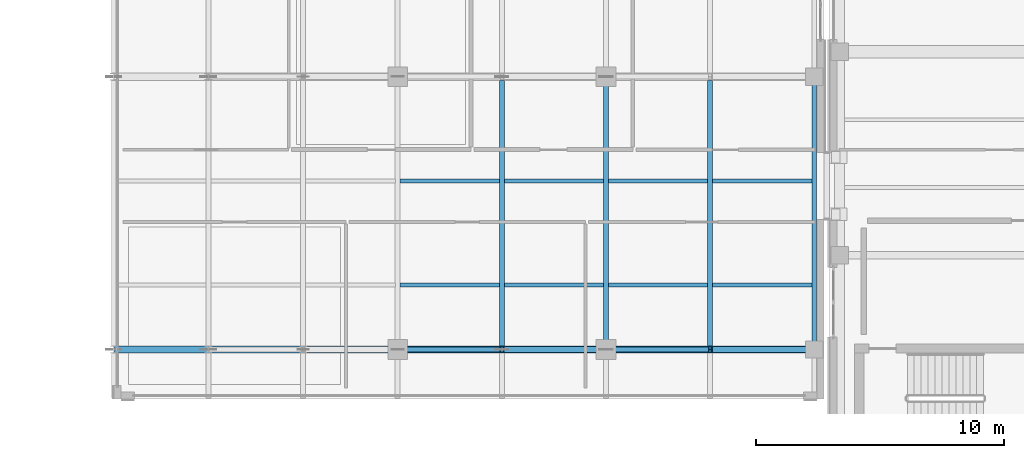
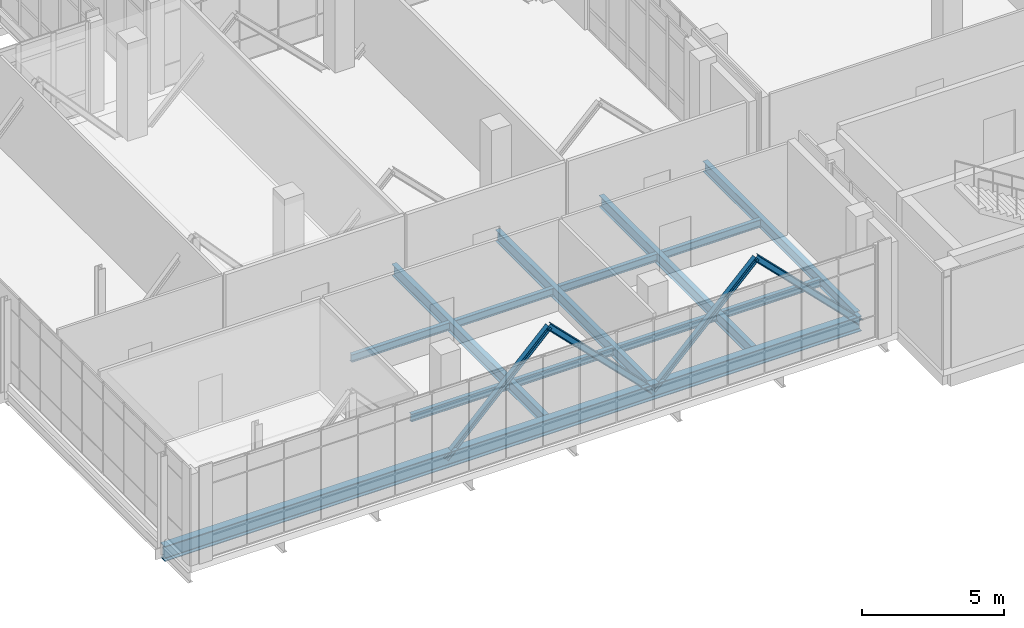
# One storey, part 5 of 165: 13 beams, 4 members.
"""IFC4 building model written with IfcOpenShell, lengths in metres."""

from ifc_helpers import new_model, si_unit, direction, frame, origin, origin_2d, place, context, subcontext, project, spatial, i_section, extrude, material, material_profile, profile_set, type_object, element, save


model = new_model("IFC4")

# Units and contexts
model_context = context("Model", 3, precision=1e-05, world=origin(), true_north=direction((0.0, 1.0)))
body_context = subcontext(model_context, "Body", "Model", "MODEL_VIEW")
ifc_project = project(units=[si_unit("LENGTHUNIT", "METRE"), si_unit("AREAUNIT", "SQUARE_METRE"), si_unit("VOLUMEUNIT", "CUBIC_METRE"), si_unit("PLANEANGLEUNIT", "RADIAN"), si_unit("MASSUNIT", "GRAM", prefix="KILO")], contexts=[model_context])

# Site, building, storey
site_placement = place(None, origin())
site = spatial("IfcSite", under=ifc_project, at=site_placement, CompositionType="ELEMENT")
building_placement = place(site_placement, origin())
building = spatial("IfcBuilding", under=site, at=building_placement, Name="Qalavern Law Courts", CompositionType="ELEMENT")
storey_placement = place(building_placement, frame((0.0, 0.0, 14.39990234375)))
storey = spatial("IfcBuildingStorey", under=building, at=storey_placement, Name="L03", CompositionType="ELEMENT", Elevation=14.39990234375)

# Beams
ifc_material = material(Name="Steel S355", Category="steel")
ifc_material_profile_1 = material_profile(ifc_material, i_section(OverallWidth=0.199951171875, OverallDepth=0.5, WebThickness=0.01025390625, FlangeThickness=0.01611328125, FilletRadius=0.02099609375, at=origin_2d()), Name="IPE 500")
ifc_profile_set_1 = profile_set([ifc_material_profile_1], Name="Steel S355")
beam_type_1 = type_object("IfcBeamType", Name="STR-BM-IPE500", PredefinedType="BEAM", material=ifc_profile_set_1)
for number, where, z_axis, x_axis, name in (
    (1, (29.39990234375, 10.14794921875, -0.534912109375), (0.0, 1.0, 0.0), (-1.0, 0.0, 0.0), "Foyer transverse beam L03-2.2"),
    (2, (25.199951171875, 10.14794921875, -0.534912109375), (0.0, 1.0, 0.0), (-1.0, 0.0, 0.0), "Foyer transverse beam L03-3.2"),
    (3, (21.0, 10.14794921875, -0.534912109375), (0.0, 1.0, 0.0), (-1.0, 0.0, 0.0), "Foyer transverse beam L03-4.2"),
):
    element("IfcBeam", number, at=place(storey_placement, frame(where, z_axis=z_axis, x_axis=x_axis)), inside=storey, type_object=beam_type_1, Name=name, PredefinedType="BEAM", context=body_context, shape_type="SweptSolid", body=[
        extrude(i_section(OverallWidth=0.199951171875, OverallDepth=0.5, WebThickness=0.01025390625, FlangeThickness=0.01611328125, FilletRadius=0.02099609375, at=origin_2d()), origin(), (0.0, 0.0, 1.0), 10.7041015625),
    ])

# Members
ifc_material_profile_2 = material_profile(ifc_material, i_section(OverallWidth=0.199951171875, OverallDepth=0.199951171875, WebThickness=0.009033203125, FlangeThickness=0.014892578125, FilletRadius=0.01806640625, at=origin_2d()), Name="HEB 200")
ifc_profile_set_2 = profile_set([ifc_material_profile_2], Name="Steel S355")
member_type_1 = type_object("IfcMemberType", Name="STR-BR-HEB200", PredefinedType="BRACE", material=ifc_profile_set_2)
for number, where, z_axis, x_axis, name in (
    (4, (29.39990234375, 10.0, 3.59521484375), (-0.706675324232, 0.0, -0.707537975038), (0.0, -1.0, 0.0), "Cantilever truss T1 diagonal L03-2"),
    (5, (21.0, 10.0, 3.59521484375), (-0.706675324232, 0.0, -0.707537975038), (0.0, -1.0, 0.0), "Cantilever truss T1 diagonal L03-4"),
):
    element("IfcMember", number, at=place(storey_placement, frame(where, z_axis=z_axis, x_axis=x_axis)), inside=storey, type_object=member_type_1, Name=name, PredefinedType="BRACE", context=body_context, shape_type="SweptSolid", body=[
        extrude(i_section(OverallWidth=0.199951171875, OverallDepth=0.199951171875, WebThickness=0.009033203125, FlangeThickness=0.014892578125, FilletRadius=0.01806640625, at=origin_2d()), origin(), (0.0, 0.0, 1.0), 5.943359375),
    ])
ifc_material_profile_3 = material_profile(ifc_material, i_section(OverallWidth=0.239990234375, OverallDepth=0.239990234375, WebThickness=0.010009765625, FlangeThickness=0.01708984375, FilletRadius=0.02099609375, at=origin_2d()), Name="HEB 240")
ifc_profile_set_3 = profile_set([ifc_material_profile_3], Name="Steel S355")
member_type_2 = type_object("IfcMemberType", Name="STR-BR-HEB240", PredefinedType="BRACE", material=ifc_profile_set_3)
for number, where, z_axis, x_axis, name in (
    (6, (33.60009765625, 10.0, -0.60986328125), (-0.706695887699, 0.0, 0.707517436046), (0.0, -1.0, 0.0), "Cantilever truss T1 diagonal L03-1"),
    (7, (25.199951171875, 10.0, -0.60986328125), (-0.706675324232, 0.0, 0.707537975038), (0.0, -1.0, 0.0), "Cantilever truss T1 diagonal L03-3"),
):
    element("IfcMember", number, at=place(storey_placement, frame(where, z_axis=z_axis, x_axis=x_axis)), inside=storey, type_object=member_type_2, Name=name, PredefinedType="BRACE", context=body_context, shape_type="SweptSolid", body=[
        extrude(i_section(OverallWidth=0.239990234375, OverallDepth=0.239990234375, WebThickness=0.010009765625, FlangeThickness=0.01708984375, FilletRadius=0.02099609375, at=origin_2d()), origin(), (0.0, 0.0, 1.0), 5.943359375),
    ])

# Beams
ifc_material_profile_4 = material_profile(ifc_material, i_section(OverallWidth=0.159912109375, OverallDepth=0.330078125, WebThickness=0.007568359375, FlangeThickness=0.011474609375, FilletRadius=0.01806640625, at=origin_2d()), Name="IPE 330")
ifc_profile_set_4 = profile_set([ifc_material_profile_4], Name="Steel S355")
beam_type_2 = type_object("IfcBeamType", Name="STR-JST-IPE330", PredefinedType="JOIST", material=ifc_profile_set_4)
for number, where, z_axis, x_axis, name in (
    (8, (29.498046875, 12.60009765625, -0.449951171875), (1.0, 0.0, 0.0), (0.0, 1.0, 0.0), "Foyer floor joist L03-1.1"),
    (9, (29.498046875, 16.800048828125, -0.449951171875), (1.0, 0.0, 0.0), (0.0, 1.0, 0.0), "Foyer floor joist L03-1.2"),
    (10, (25.298095703125, 12.60009765625, -0.449951171875), (1.0, 0.0, 0.0), (0.0, 1.0, 0.0), "Foyer floor joist L03-2.1"),
    (11, (25.298095703125, 16.800048828125, -0.449951171875), (1.0, 0.0, 0.0), (0.0, 1.0, 0.0), "Foyer floor joist L03-2.2"),
):
    element("IfcBeam", number, at=place(storey_placement, frame(where, z_axis=z_axis, x_axis=x_axis)), inside=storey, type_object=beam_type_2, Name=name, PredefinedType="JOIST", context=body_context, shape_type="SweptSolid", body=[
        extrude(i_section(OverallWidth=0.159912109375, OverallDepth=0.330078125, WebThickness=0.007568359375, FlangeThickness=0.011474609375, FilletRadius=0.01806640625, at=origin_2d()), origin(), (0.0, 0.0, 1.0), 4.00390625),
    ])
for number, where, z_axis, x_axis, name in (
    (12, (21.097900390625, 12.60009765625, -0.449951171875), (1.0, 0.0, 0.0), (0.0, 1.0, 0.0), "Foyer floor joist L03-3.1"),
    (13, (21.097900390625, 16.800048828125, -0.449951171875), (1.0, 0.0, 0.0), (0.0, 1.0, 0.0), "Foyer floor joist L03-3.2"),
    (14, (16.89794921875, 12.60009765625, -0.449951171875), (1.0, 0.0, 0.0), (0.0, 1.0, 0.0), "Foyer floor joist L03-4.1"),
    (15, (16.89794921875, 16.800048828125, -0.449951171875), (1.0, 0.0, 0.0), (0.0, 1.0, 0.0), "Foyer floor joist L03-4.2"),
):
    element("IfcBeam", number, at=place(storey_placement, frame(where, z_axis=z_axis, x_axis=x_axis)), inside=storey, type_object=beam_type_2, Name=name, PredefinedType="JOIST", context=body_context, shape_type="SweptSolid", body=[
        extrude(i_section(OverallWidth=0.159912109375, OverallDepth=0.330078125, WebThickness=0.007568359375, FlangeThickness=0.011474609375, FilletRadius=0.01806640625, at=origin_2d()), origin(), (0.0, 0.0, 1.0), 4.004150390625),
    ])
ifc_material_profile_5 = material_profile(ifc_material, i_section(OverallWidth=0.18994140625, OverallDepth=0.449951171875, WebThickness=0.009521484375, FlangeThickness=0.0146484375, FilletRadius=0.02099609375, at=origin_2d()), Name="IPE 450")
ifc_profile_set_5 = profile_set([ifc_material_profile_5], Name="Steel S355")
beam_type_3 = type_object("IfcBeamType", Name="STR-SP-IPE450", PredefinedType="SPANDREL", material=ifc_profile_set_5)
beam_1_placement = place(storey_placement, frame((33.60009765625, 10.14794921875, -0.510009765625), z_axis=(0.0, 1.0, 0.0), x_axis=(-1.0, 0.0, 0.0)))
element("IfcBeam", 16, at=beam_1_placement, inside=storey, type_object=beam_type_3, Name="Foyer transverse beam L03-1.2", PredefinedType="SPANDREL", context=body_context, shape_type="SweptSolid", body=[
    extrude(i_section(OverallWidth=0.18994140625, OverallDepth=0.449951171875, WebThickness=0.009521484375, FlangeThickness=0.0146484375, FilletRadius=0.02099609375, at=origin_2d()), origin(), (0.0, 0.0, 1.0), 10.7041015625),
])
ifc_material_profile_6 = material_profile(ifc_material, i_section(OverallWidth=0.300048828125, OverallDepth=0.64990234375, WebThickness=0.01611328125, FlangeThickness=0.031005859375, FilletRadius=0.027099609375, at=origin_2d()), Name="HEB 650")
ifc_profile_set_6 = profile_set([ifc_material_profile_6], Name="Steel S355")
beam_type_4 = type_object("IfcBeamType", Name="STR-TC-HEB650", PredefinedType="BEAM", material=ifc_profile_set_6)
beam_2_placement = place(storey_placement, frame((33.60009765625, 10.0, -0.60986328125), z_axis=(-1.0, 0.0, 0.0), x_axis=(0.0, -1.0, 0.0)))
element("IfcBeam", 17, at=beam_2_placement, inside=storey, type_object=beam_type_4, Name="Cantilever foyer truss T1 continuous chord L03", PredefinedType="BEAM", context=body_context, shape_type="SweptSolid", body=[
    extrude(i_section(OverallWidth=0.300048828125, OverallDepth=0.64990234375, WebThickness=0.01611328125, FlangeThickness=0.031005859375, FilletRadius=0.027099609375, at=origin_2d()), origin(), (0.0, 0.0, 1.0), 28.25),
])

save(model, "model.ifc")
